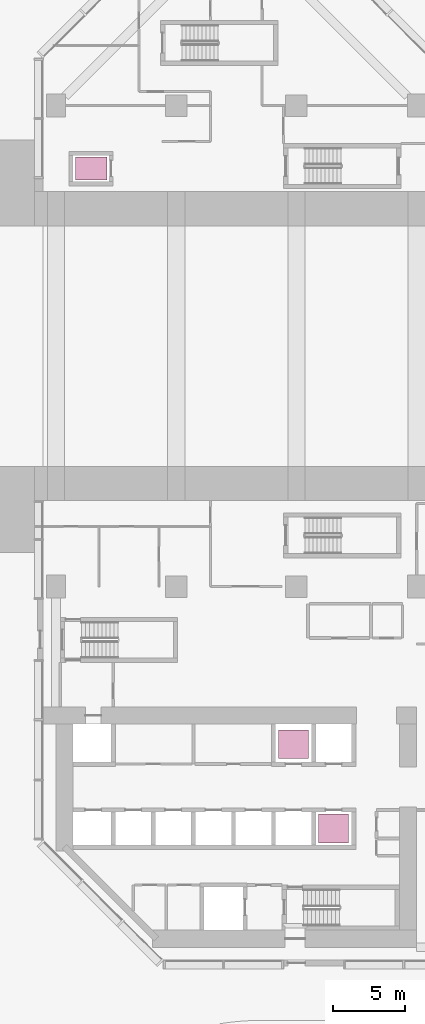
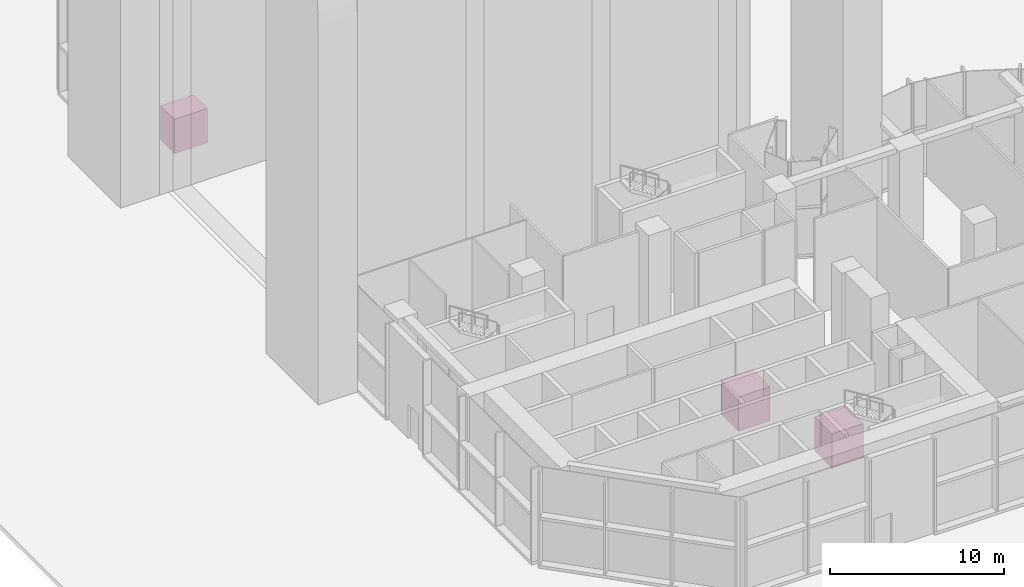
# One storey, part 21 of 21: 3 transport elements.
"""IFC4 building model written with IfcOpenShell, lengths in metres."""

from ifc_helpers import new_model, si_unit, direction, frame, origin, origin_2d, place, context, subcontext, project, spatial, rectangle, extrude, material, type_object, element, save


model = new_model("IFC4")

# Units and contexts
model_context = context("Model", 3, precision=1e-05, world=origin(), true_north=direction((0.0, 1.0)))
body_context = subcontext(model_context, "Body", "Model", "MODEL_VIEW")
ifc_project = project(units=[si_unit("LENGTHUNIT", "METRE"), si_unit("AREAUNIT", "SQUARE_METRE"), si_unit("VOLUMEUNIT", "CUBIC_METRE"), si_unit("PLANEANGLEUNIT", "RADIAN"), si_unit("MASSUNIT", "GRAM", prefix="KILO")], contexts=[model_context])

# Site, building, storey
site_placement = place(None, origin())
site = spatial("IfcSite", under=ifc_project, at=site_placement, CompositionType="ELEMENT")
building_placement = place(site_placement, origin())
building = spatial("IfcBuilding", under=site, at=building_placement, Name="Brevane Broadcast Tower", CompositionType="ELEMENT")
storey_placement = place(building_placement, origin())
storey = spatial("IfcBuildingStorey", under=building, at=storey_placement, Name="L00", CompositionType="ELEMENT", Elevation=0.0)

# Transport elements
ifc_material = material(Name="Stainless steel", Category="steel")
transport_element_type_1 = type_object("IfcTransportElementType", Name="Accessible passenger lift car", PredefinedType="ELEVATOR", material=ifc_material)
transport_element_placement = place(storey_placement, frame((2.449951171875, 54.39990234375, 0.0), z_axis=(0.0, 0.0, 1.0), x_axis=(1.0, 0.0, 0.0)))
element("IfcTransportElement", 1, at=transport_element_placement, inside=storey, type_object=transport_element_type_1, Name="Pavilion lift PL1", PredefinedType="ELEVATOR", context=body_context, shape_type="SweptSolid", body=[
    extrude(rectangle(XDim=2.199951171875, YDim=1.60009765625, at=origin_2d()), origin(), (0.0, 0.0, 1.0), 2.39990234375),
])
transport_element_type_2 = type_object("IfcTransportElementType", Name="Passenger lift car", PredefinedType="ELEVATOR", material=ifc_material)
for number, where, z_axis, x_axis, name in (
    (2, (19.39990234375, 8.300048828125, 0.0), (0.0, 0.0, 1.0), (1.0, 0.0, 0.0), "Shuttle SH1"),
    (3, (16.60009765625, 14.199951171875, 0.0), (0.0, 0.0, 1.0), (1.0, 0.0, 0.0), "Shuttle SH2"),
):
    element("IfcTransportElement", number, at=place(storey_placement, frame(where, z_axis=z_axis, x_axis=x_axis)), inside=storey, type_object=transport_element_type_2, Name=name, PredefinedType="ELEVATOR", context=body_context, shape_type="SweptSolid", body=[
        extrude(rectangle(XDim=2.10009765625, YDim=2.0, at=origin_2d()), origin(), (0.0, 0.0, 1.0), 2.39990234375),
    ])

save(model, "model.ifc")
